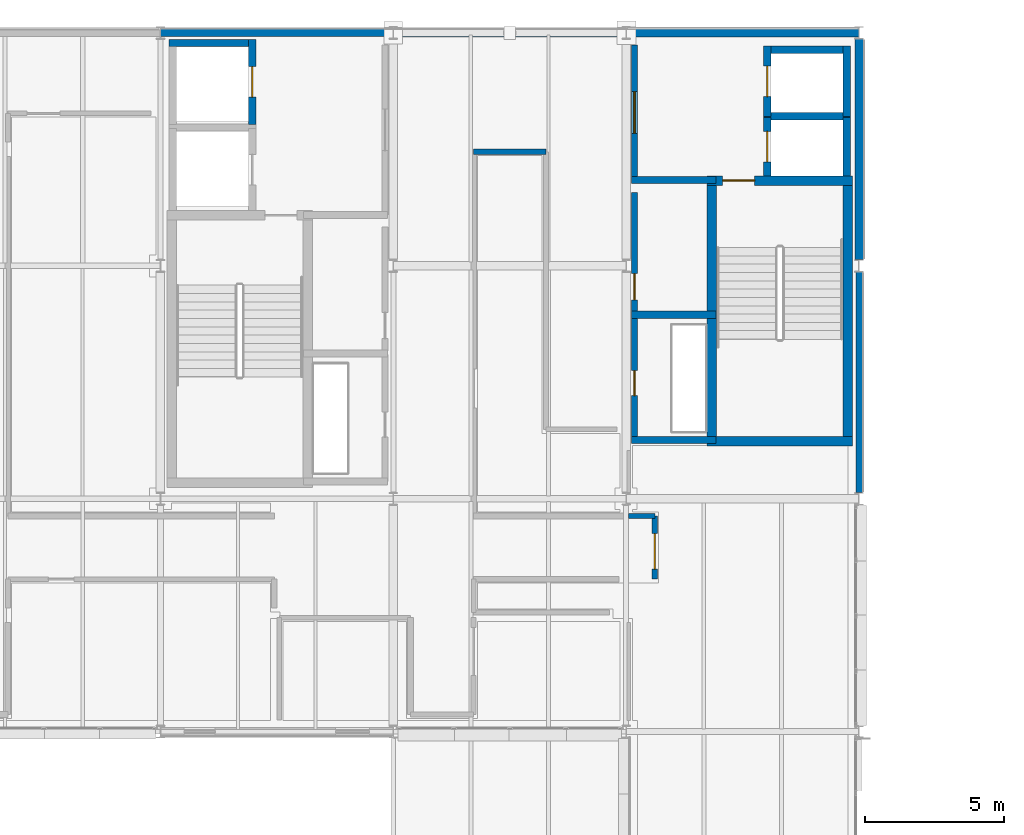
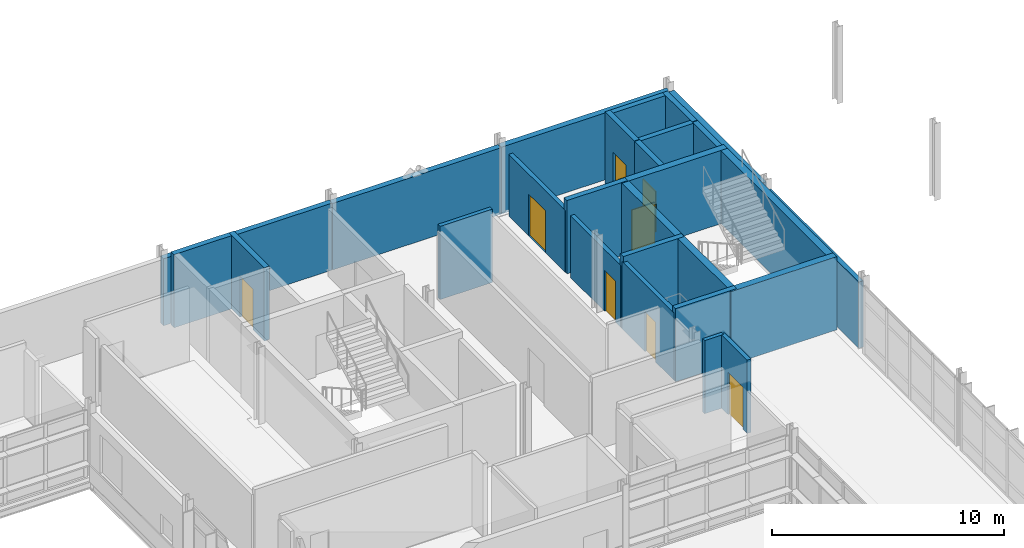
# One storey, part 90 of 103: 26 walls, 8 doors, 8 openings.
"""IFC4 building model written with IfcOpenShell, lengths in metres."""

from ifc_helpers import new_model, si_unit, direction, frame, frame_2d, origin, place, context, subcontext, project, spatial, rectangle, extrude, material, layer, layer_set, type_object, element, fill, save


model = new_model("IFC4")

# Units and contexts
model_context = context("Model", 3, precision=1e-05, world=origin(), true_north=direction((0.0, 1.0)))
body_context = subcontext(model_context, "Body", "Model", "MODEL_VIEW")
ifc_project = project(units=[si_unit("LENGTHUNIT", "METRE"), si_unit("AREAUNIT", "SQUARE_METRE"), si_unit("VOLUMEUNIT", "CUBIC_METRE"), si_unit("PLANEANGLEUNIT", "RADIAN"), si_unit("MASSUNIT", "GRAM", prefix="KILO")], contexts=[model_context])

# Site, building, storey
site_placement = place(None, origin())
site = spatial("IfcSite", under=ifc_project, at=site_placement, CompositionType="ELEMENT")
building_placement = place(site_placement, origin())
building = spatial("IfcBuilding", under=site, at=building_placement, Name="Mersafa Astral City Hall", CompositionType="ELEMENT")
storey_placement = place(building_placement, frame((0.0, 0.0, 18.0)))
storey = spatial("IfcBuildingStorey", under=building, at=storey_placement, Name="L04", CompositionType="ELEMENT", Elevation=18.0)

# Walls
ifc_material_1 = material(Name="Precast concrete C40/50 insulated terracotta spandrel", Category="masonry")
ifc_layer_1 = layer(ifc_material_1, 0.235107421875, Name="Precast concrete C40/50 insulated terracotta spandrel")
ifc_layer_set_1 = layer_set([ifc_layer_1], Name="Precast concrete C40/50 insulated terracotta spandrel — ENV-WAL-EXT-235")
wall_type_1 = type_object("IfcWallType", Name="ENV-WAL-EXT-235", PredefinedType="STANDARD", material=ifc_layer_set_1)
wall_1_placement = place(storey_placement, frame((176.39990234375, 109.4208984375, 0.0), z_axis=(0.0, 0.0, 1.0), x_axis=(0.0, 1.0, 0.0)))
element("IfcWall", 1, at=wall_1_placement, inside=storey, type_object=wall_type_1, Name="L04 Limestone-clad exterior wall 293", PredefinedType="STANDARD", context=body_context, shape_type="SweptSolid", body=[
    extrude(rectangle(XDim=7.9580078125, YDim=0.235107421875, at=frame_2d((3.97900390625, 0.0))), origin(), (0.0, 0.0, 1.0), 3.491943359375),
])
ifc_material_2 = material(Name="Precast concrete C40/50 insulated limestone wall", Category="masonry")
ifc_layer_2 = layer(ifc_material_2, 0.264892578125, Name="Precast concrete C40/50 insulated limestone wall")
ifc_layer_set_2 = layer_set([ifc_layer_2], Name="Precast concrete C40/50 insulated limestone wall — ENV-WAL-EXT-265")
wall_type_2 = type_object("IfcWallType", Name="ENV-WAL-EXT-265", PredefinedType="STANDARD", material=ifc_layer_set_2)
wall_2_placement = place(storey_placement, frame((159.592041015625, 126.0, 0.0), z_axis=(0.0, 0.0, 1.0), x_axis=(-1.0, 0.0, 0.0)))
element("IfcWall", 2, at=wall_2_placement, inside=storey, type_object=wall_type_2, Name="L04 Limestone-clad exterior wall 297", PredefinedType="STANDARD", context=body_context, shape_type="SweptSolid", body=[
    extrude(rectangle(XDim=8.384033203125, YDim=0.264892578125, at=frame_2d((4.19189453125, 0.0))), origin(), (0.0, 0.0, 1.0), 3.52197265625),
])
ifc_layer_3 = layer(ifc_material_2, 0.280029296875, Name="Precast concrete C40/50 insulated limestone wall")
ifc_layer_set_3 = layer_set([ifc_layer_3], Name="Precast concrete C40/50 insulated limestone wall — ENV-WAL-EXT-280")
wall_type_3 = type_object("IfcWallType", Name="ENV-WAL-EXT-280", PredefinedType="STANDARD", material=ifc_layer_set_3)
wall_3_placement = place(storey_placement, frame((167.991943359375, 126.0, 0.0), z_axis=(0.0, 0.0, 1.0), x_axis=(-1.0, 0.0, 0.0)))
element("IfcWall", 3, at=wall_3_placement, inside=storey, type_object=wall_type_3, Name="L04 Limestone-clad exterior wall 296", PredefinedType="STANDARD", context=body_context, shape_type="SweptSolid", body=[
    extrude(rectangle(XDim=8.384033203125, YDim=0.280029296875, at=frame_2d((4.19189453125, 0.0))), origin(), (0.0, 0.0, 1.0), 3.491943359375),
])
ifc_layer_4 = layer(ifc_material_2, 0.294921875, Name="Precast concrete C40/50 insulated limestone wall")
ifc_layer_set_4 = layer_set([ifc_layer_4], Name="Precast concrete C40/50 insulated limestone wall — ENV-WAL-EXT-295")
wall_type_4 = type_object("IfcWallType", Name="ENV-WAL-EXT-295", PredefinedType="STANDARD", material=ifc_layer_set_4)
wall_4_placement = place(storey_placement, frame((176.39208984375, 126.0, 0.0), z_axis=(0.0, 0.0, 1.0), x_axis=(-1.0, 0.0, 0.0)))
element("IfcWall", 4, at=wall_4_placement, inside=storey, type_object=wall_type_4, Name="L04 Limestone-clad exterior wall 295", PredefinedType="STANDARD", context=body_context, shape_type="SweptSolid", body=[
    extrude(rectangle(XDim=8.384033203125, YDim=0.294921875, at=frame_2d((4.19189453125, 0.0))), origin(), (0.0, 0.0, 1.0), 3.52197265625),
])
ifc_layer_5 = layer(ifc_material_2, 0.31005859375, Name="Precast concrete C40/50 insulated limestone wall")
ifc_layer_set_5 = layer_set([ifc_layer_5], Name="Precast concrete C40/50 insulated limestone wall — ENV-WAL-EXT-310")
wall_type_5 = type_object("IfcWallType", Name="ENV-WAL-EXT-310", PredefinedType="STANDARD", material=ifc_layer_set_5)
wall_5_placement = place(storey_placement, frame((176.39990234375, 117.821044921875, 0.0), z_axis=(0.0, 0.0, 1.0), x_axis=(0.0, 1.0, 0.0)))
element("IfcWall", 5, at=wall_5_placement, inside=storey, type_object=wall_type_5, Name="L04 Limestone-clad exterior wall 294", PredefinedType="STANDARD", context=body_context, shape_type="SweptSolid", body=[
    extrude(rectangle(XDim=7.9580078125, YDim=0.31005859375, at=frame_2d((3.97900390625, 0.0))), origin(), (0.0, 0.0, 1.0), 3.58203125),
])
ifc_material_3 = material(Name="Concrete C40/50", Category="concrete")
ifc_layer_6 = layer(ifc_material_3, 0.260009765625, Name="Concrete C40/50")
ifc_layer_set_6 = layer_set([ifc_layer_6], Name="Concrete C40/50 — INT-WAL-CORE-260")
wall_type_6 = type_object("IfcWallType", Name="INT-WAL-CORE-260", PredefinedType="SHEAR", material=ifc_layer_set_6)
wall_6_placement = place(storey_placement, frame((151.514892578125, 125.635009765625, 0.0), z_axis=(0.0, 0.0, 1.0), x_axis=(1.0, 0.0, 0.0)))
element("IfcWall", 6, at=wall_6_placement, inside=storey, type_object=wall_type_6, Name="L04 Lift LF3 north shaft wall", PredefinedType="SHEAR", context=body_context, shape_type="SweptSolid", body=[
    extrude(rectangle(XDim=3.130126953125, YDim=0.260009765625, at=frame_2d((1.56494140625, 0.0))), origin(), (0.0, 0.0, 1.0), 3.85009765625),
])

# Wall, opening, door
wall_7_placement = place(storey_placement, frame((154.514892578125, 122.705078125, 0.0), z_axis=(0.0, 0.0, 1.0), x_axis=(0.0, 1.0, 0.0)))
wall_7 = element("IfcWall", 7, at=wall_7_placement, inside=storey, type_object=wall_type_6, Name="L04 Lift LF3 front shaft wall", PredefinedType="SHEAR", context=body_context, shape_type="SweptSolid", body=[
    extrude(rectangle(XDim=3.059814453125, YDim=0.260009765625, at=frame_2d((1.52978515625, 0.0))), origin(), (0.0, 0.0, 1.0), 3.85009765625),
])
opening_1_placement = place(wall_7_placement, frame((0.97998046875, 0.0, 0.0)))
opening_1 = element("IfcOpeningElement", 8, at=opening_1_placement, cuts=wall_7, Name="Opening LD-1", PredefinedType="OPENING", context=body_context, shape_type="SweptSolid", body=[
    extrude(rectangle(XDim=1.10009765625, YDim=2.14990234375, at=frame_2d((0.550048828125, 1.074951171875))), frame((0.0, 0.139892578125, 0.0), z_axis=(0.0, -1.0, 0.0), x_axis=(1.0, 0.0, 0.0)), (0.0, 0.0, 1.0), 0.280029296875),
])
ifc_material_4 = material(Name="Stainless steel sliding lift landing door", Category="steel")
door_type_1 = type_object("IfcDoorType", Name="INT-DR-LIFT-LD1", OperationType="NOTDEFINED", PredefinedType="DOOR", material=ifc_material_4)
door_1_placement = place(opening_1_placement, origin())
door_1 = element("IfcDoor", 9, at=door_1_placement, inside=storey, type_object=door_type_1, Name="Elevator LF3 Sliding Landing Door L04", OperationType="DOUBLE_DOOR_SLIDING", OverallHeight=2.14990234375, OverallWidth=1.10009765625, PredefinedType="DOOR", context=body_context, shape_type="SweptSolid", body=[
    extrude(rectangle(XDim=1.10009765625, YDim=2.14990234375, at=frame_2d((0.550048828125, 1.074951171875))), frame((0.0, 0.02490234375, 0.0), z_axis=(0.0, -1.0, 0.0), x_axis=(1.0, 0.0, 0.0)), (0.0, 0.0, 1.0), 0.050048828125),
])
fill(opening_1, door_1)

# Walls
wall_8_placement = place(storey_placement, frame((172.955078125, 122.9951171875, 0.0), z_axis=(0.0, 0.0, 1.0), x_axis=(1.0, 0.0, 0.0)))
element("IfcWall", 10, at=wall_8_placement, inside=storey, type_object=wall_type_6, Name="L04 Lift LF2 north shaft wall", PredefinedType="SHEAR", context=body_context, shape_type="SweptSolid", body=[
    extrude(rectangle(XDim=3.1298828125, YDim=0.260009765625, at=frame_2d((1.56494140625, 0.0))), origin(), (0.0, 0.0, 1.0), 3.85009765625),
])
wall_9_placement = place(storey_placement, frame((175.955078125, 120.846923828125, 0.0), z_axis=(0.0, 0.0, 1.0), x_axis=(0.0, 1.0, 0.0)))
element("IfcWall", 11, at=wall_9_placement, inside=storey, type_object=wall_type_6, Name="L04 Lift LF2 back shaft wall", PredefinedType="SHEAR", context=body_context, shape_type="SweptSolid", body=[
    extrude(rectangle(XDim=2.108154296875, YDim=0.260009765625, at=frame_2d((1.05419921875, 0.0))), origin(), (0.0, 0.0, 1.0), 3.85009765625),
])

# Wall, opening, door
wall_10_placement = place(storey_placement, frame((173.0849609375, 120.846923828125, 0.0), z_axis=(0.0, 0.0, 1.0), x_axis=(0.0, 1.0, 0.0)))
wall_10 = element("IfcWall", 12, at=wall_10_placement, inside=storey, type_object=wall_type_6, Name="L04 Lift LF2 front shaft wall", PredefinedType="SHEAR", context=body_context, shape_type="SweptSolid", body=[
    extrude(rectangle(XDim=2.108154296875, YDim=0.260009765625, at=frame_2d((1.05419921875, 0.0))), origin(), (0.0, 0.0, 1.0), 3.85009765625),
])
opening_2_placement = place(wall_10_placement, frame((0.50390625, 0.0, 0.0)))
opening_2 = element("IfcOpeningElement", 13, at=opening_2_placement, cuts=wall_10, Name="Opening LD-1", PredefinedType="OPENING", context=body_context, shape_type="SweptSolid", body=[
    extrude(rectangle(XDim=1.10009765625, YDim=2.14990234375, at=frame_2d((0.550048828125, 1.074951171875))), frame((0.0, 0.139892578125, 0.0), z_axis=(0.0, -1.0, 0.0), x_axis=(1.0, 0.0, 0.0)), (0.0, 0.0, 1.0), 0.280029296875),
])
door_2_placement = place(opening_2_placement, origin())
door_2 = element("IfcDoor", 14, at=door_2_placement, inside=storey, type_object=door_type_1, Name="Elevator LF2 Sliding Landing Door L04", OperationType="DOUBLE_DOOR_SLIDING", OverallHeight=2.14990234375, OverallWidth=1.10009765625, PredefinedType="DOOR", context=body_context, shape_type="SweptSolid", body=[
    extrude(rectangle(XDim=1.10009765625, YDim=2.14990234375, at=frame_2d((0.550048828125, 1.074951171875))), frame((0.0, 0.02490234375, 0.0), z_axis=(0.0, -1.0, 0.0), x_axis=(1.0, 0.0, 0.0)), (0.0, 0.0, 1.0), 0.050048828125),
])
fill(opening_2, door_2)

# Walls
wall_11_placement = place(storey_placement, frame((172.955078125, 125.39501953125, 0.0), z_axis=(0.0, 0.0, 1.0), x_axis=(1.0, 0.0, 0.0)))
element("IfcWall", 15, at=wall_11_placement, inside=storey, type_object=wall_type_6, Name="L04 Lift LF4 north shaft wall", PredefinedType="SHEAR", context=body_context, shape_type="SweptSolid", body=[
    extrude(rectangle(XDim=3.1298828125, YDim=0.260009765625, at=frame_2d((1.56494140625, 0.0))), origin(), (0.0, 0.0, 1.0), 3.85009765625),
])
wall_12_placement = place(storey_placement, frame((175.955078125, 122.985107421875, 0.0), z_axis=(0.0, 0.0, 1.0), x_axis=(0.0, 1.0, 0.0)))
element("IfcWall", 16, at=wall_12_placement, inside=storey, type_object=wall_type_6, Name="L04 Lift LF4 back shaft wall", PredefinedType="SHEAR", context=body_context, shape_type="SweptSolid", body=[
    extrude(rectangle(XDim=2.539794921875, YDim=0.260009765625, at=frame_2d((1.27001953125, 0.0))), origin(), (0.0, 0.0, 1.0), 3.85009765625),
])

# Wall, opening, door
wall_13_placement = place(storey_placement, frame((173.0849609375, 122.985107421875, 0.0), z_axis=(0.0, 0.0, 1.0), x_axis=(0.0, 1.0, 0.0)))
wall_13 = element("IfcWall", 17, at=wall_13_placement, inside=storey, type_object=wall_type_6, Name="L04 Lift LF4 front shaft wall", PredefinedType="SHEAR", context=body_context, shape_type="SweptSolid", body=[
    extrude(rectangle(XDim=2.539794921875, YDim=0.260009765625, at=frame_2d((1.27001953125, 0.0))), origin(), (0.0, 0.0, 1.0), 3.85009765625),
])
opening_3_placement = place(wall_13_placement, frame((0.719970703125, 0.0, 0.0)))
opening_3 = element("IfcOpeningElement", 18, at=opening_3_placement, cuts=wall_13, Name="Opening LD-1", PredefinedType="OPENING", context=body_context, shape_type="SweptSolid", body=[
    extrude(rectangle(XDim=1.10009765625, YDim=2.14990234375, at=frame_2d((0.550048828125, 1.074951171875))), frame((0.0, 0.139892578125, 0.0), z_axis=(0.0, -1.0, 0.0), x_axis=(1.0, 0.0, 0.0)), (0.0, 0.0, 1.0), 0.280029296875),
])
door_3_placement = place(opening_3_placement, origin())
door_3 = element("IfcDoor", 19, at=door_3_placement, inside=storey, type_object=door_type_1, Name="Elevator LF4 Sliding Landing Door L04", OperationType="DOUBLE_DOOR_SLIDING", OverallHeight=2.14990234375, OverallWidth=1.10009765625, PredefinedType="DOOR", context=body_context, shape_type="SweptSolid", body=[
    extrude(rectangle(XDim=1.10009765625, YDim=2.14990234375, at=frame_2d((0.550048828125, 1.074951171875))), frame((0.0, 0.02490234375, 0.0), z_axis=(0.0, -1.0, 0.0), x_axis=(1.0, 0.0, 0.0)), (0.0, 0.0, 1.0), 0.050048828125),
])
fill(opening_3, door_3)

# Walls
for number, where, z_axis, x_axis, name in (
    (20, (168.199951171875, 111.320068359375, 0.0), (0.0, 0.0, 1.0), (1.0, 0.0, 0.0), "L04 Core K2 riser south wall"),
    (21, (168.199951171875, 115.8349609375, 0.0), (0.0, 0.0, 1.0), (1.0, 0.0, 0.0), "L04 Core K2 riser-restroom divider wall"),
    (22, (168.199951171875, 120.68994140625, 0.0), (0.0, 0.0, 1.0), (1.0, 0.0, 0.0), "L04 Core K2 restroom-lobby divider wall"),
):
    element("IfcWall", number, at=place(storey_placement, frame(where, z_axis=z_axis, x_axis=x_axis)), inside=storey, type_object=wall_type_6, Name=name, PredefinedType="SHEAR", context=body_context, shape_type="SweptSolid", body=[
        extrude(rectangle(XDim=3.03515625, YDim=0.260009765625, at=frame_2d((1.517578125, 0.0))), origin(), (0.0, 0.0, 1.0), 3.85009765625),
    ])
ifc_layer_7 = layer(ifc_material_3, 0.340087890625, Name="Concrete C40/50")
ifc_layer_set_7 = layer_set([ifc_layer_7], Name="Concrete C40/50 — INT-WAL-CORE-340")
wall_type_7 = type_object("IfcWallType", Name="INT-WAL-CORE-340", PredefinedType="SHEAR", material=ifc_layer_set_7)
for number, where, z_axis, x_axis, name in (
    (23, (171.0849609375, 111.10498046875, 0.0), (0.0, 0.0, 1.0), (0.0, 1.0, 0.0), "L04 Core K2 stair west shear wall"),
    (24, (175.9951171875, 111.10498046875, 0.0), (0.0, 0.0, 1.0), (0.0, 1.0, 0.0), "L04 Core K2 stair east shear wall"),
):
    element("IfcWall", number, at=place(storey_placement, frame(where, z_axis=z_axis, x_axis=x_axis)), inside=storey, type_object=wall_type_7, Name=name, PredefinedType="SHEAR", context=body_context, shape_type="SweptSolid", body=[
        extrude(rectangle(XDim=9.739990234375, YDim=0.340087890625, at=frame_2d((4.8701171875, 0.0))), origin(), (0.0, 0.0, 1.0), 3.85009765625),
    ])
wall_14_placement = place(storey_placement, frame((170.9150390625, 111.27490234375, 0.0), z_axis=(0.0, 0.0, 1.0), x_axis=(1.0, 0.0, 0.0)))
element("IfcWall", 25, at=wall_14_placement, inside=storey, type_object=wall_type_7, Name="L04 Core K2 stair south shear wall", PredefinedType="SHEAR", context=body_context, shape_type="SweptSolid", body=[
    extrude(rectangle(XDim=5.25, YDim=0.340087890625, at=frame_2d((2.625, 0.0))), origin(), (0.0, 0.0, 1.0), 3.85009765625),
])

# Wall, opening, door
wall_15_placement = place(storey_placement, frame((170.9150390625, 120.675048828125, 0.0), z_axis=(0.0, 0.0, 1.0), x_axis=(1.0, 0.0, 0.0)))
wall_15 = element("IfcWall", 26, at=wall_15_placement, inside=storey, type_object=wall_type_7, Name="L04 Core K2 stair-lobby fire wall", PredefinedType="SHEAR", context=body_context, shape_type="SweptSolid", body=[
    extrude(rectangle(XDim=5.25, YDim=0.340087890625, at=frame_2d((2.625, 0.0))), origin(), (0.0, 0.0, 1.0), 3.85009765625),
])
opening_4_placement = place(wall_15_placement, frame((0.56494140625, 0.0, 0.0)))
opening_4 = element("IfcOpeningElement", 27, at=opening_4_placement, cuts=wall_15, Name="Opening CD-1", PredefinedType="OPENING", context=body_context, shape_type="SweptSolid", body=[
    extrude(rectangle(XDim=1.14990234375, YDim=2.14990234375, at=frame_2d((0.574951171875, 1.074951171875))), frame((0.0, 0.179931640625, 0.0), z_axis=(0.0, -1.0, 0.0), x_axis=(1.0, 0.0, 0.0)), (0.0, 0.0, 1.0), 0.360107421875),
])
ifc_material_5 = material(Name="Fire-rated steel stair door", Category="steel")
door_type_2 = type_object("IfcDoorType", Name="INT-DR-STAIR-FD90-1150", OperationType="NOTDEFINED", PredefinedType="DOOR", material=ifc_material_5)
door_4_placement = place(opening_4_placement, origin())
door_4 = element("IfcDoor", 28, at=door_4_placement, inside=storey, type_object=door_type_2, Name="L04 Protected Stair ST2 Door", OperationType="SINGLE_SWING_LEFT", OverallHeight=2.14990234375, OverallWidth=1.14990234375, PredefinedType="DOOR", context=body_context, shape_type="SweptSolid", body=[
    extrude(rectangle(XDim=1.14990234375, YDim=2.14990234375, at=frame_2d((0.574951171875, 1.074951171875))), frame((0.0, 0.02490234375, 0.0), z_axis=(0.0, -1.0, 0.0), x_axis=(1.0, 0.0, 0.0)), (0.0, 0.0, 1.0), 0.050048828125),
])
fill(opening_4, door_4)

# Wall
ifc_material_6 = material(Name="Acoustic twin-stud gypsum partition", Category="gypsum")
ifc_layer_8 = layer(ifc_material_6, 0.179931640625, Name="Acoustic twin-stud gypsum partition")
ifc_layer_set_8 = layer_set([ifc_layer_8], Name="Acoustic twin-stud gypsum partition — INT-WAL-PART-EI60-180")
wall_type_8 = type_object("IfcWallType", Name="INT-WAL-PART-EI60-180", PredefinedType="STANDARD", material=ifc_layer_set_8)
wall_16_placement = place(storey_placement, frame((169.030029296875, 108.580078125, -0.00390625), z_axis=(0.0, 0.0, 1.0), x_axis=(-1.0, 0.0, 0.0)))
element("IfcWall", 29, at=wall_16_placement, inside=storey, type_object=wall_type_8, Name="L04 Interior partition wall 706", PredefinedType="STANDARD", context=body_context, shape_type="SweptSolid", body=[
    extrude(rectangle(XDim=0.93994140625, YDim=0.179931640625, at=frame_2d((0.469970703125, 0.0))), origin(), (0.0, 0.0, 1.0), 3.85400390625),
])

# Wall, opening, door
ifc_layer_9 = layer(ifc_material_6, 0.195068359375, Name="Acoustic twin-stud gypsum partition")
ifc_layer_set_9 = layer_set([ifc_layer_9], Name="Acoustic twin-stud gypsum partition — INT-WAL-PART-EI60-195")
wall_type_9 = type_object("IfcWallType", Name="INT-WAL-PART-EI60-195", PredefinedType="STANDARD", material=ifc_layer_set_9)
wall_17_placement = place(storey_placement, frame((169.030029296875, 106.300048828125, -0.00390625), z_axis=(0.0, 0.0, 1.0), x_axis=(0.0, 1.0, 0.0)))
wall_17 = element("IfcWall", 30, at=wall_17_placement, inside=storey, type_object=wall_type_9, Name="L04 Interior partition wall 705", PredefinedType="STANDARD", context=body_context, shape_type="SweptSolid", body=[
    extrude(rectangle(XDim=2.280029296875, YDim=0.195068359375, at=frame_2d((1.14013671875, 0.0))), origin(), (0.0, 0.0, 1.0), 3.85400390625),
])
opening_5_placement = place(wall_17_placement, frame((0.360107421875, 0.0, 0.0)))
opening_5 = element("IfcOpeningElement", 31, at=opening_5_placement, cuts=wall_17, Name="Opening D-24", PredefinedType="OPENING", context=body_context, shape_type="SweptSolid", body=[
    extrude(rectangle(XDim=1.280029296875, YDim=2.219970703125, at=frame_2d((0.64013671875, 1.10986328125))), frame((0.0, 0.107421875, 0.0), z_axis=(0.0, -1.0, 0.0), x_axis=(1.0, 0.0, 0.0)), (0.0, 0.0, 1.0), 0.215087890625),
])
ifc_material_7 = material(Name="Cedar veneered acoustic fire-rated timber door", Category="wood")
door_type_3 = type_object("IfcDoorType", Name="INT-DR-RM-D-24", OperationType="NOTDEFINED", PredefinedType="DOOR", material=ifc_material_7)
door_5_placement = place(opening_5_placement, origin())
door_5 = element("IfcDoor", 32, at=door_5_placement, inside=storey, type_object=door_type_3, Name="L04 Heritage & Historic Cairo Office L04-05 Entrance Door", OperationType="SINGLE_SWING_RIGHT", OverallHeight=2.219970703125, OverallWidth=1.280029296875, PredefinedType="DOOR", context=body_context, shape_type="SweptSolid", body=[
    extrude(rectangle(XDim=1.280029296875, YDim=2.219970703125, at=frame_2d((0.64013671875, 1.10986328125))), frame((0.0, 0.02490234375, 0.0), z_axis=(0.0, -1.0, 0.0), x_axis=(1.0, 0.0, 0.0)), (0.0, 0.0, 1.0), 0.050048828125),
])
fill(opening_5, door_5)

# Wall
wall_18_placement = place(storey_placement, frame((162.5, 121.7099609375, -0.00390625), z_axis=(0.0, 0.0, 1.0), x_axis=(1.0, 0.0, 0.0)))
element("IfcWall", 33, at=wall_18_placement, inside=storey, type_object=wall_type_9, Name="L04 Interior partition wall 709", PredefinedType="STANDARD", context=body_context, shape_type="SweptSolid", body=[
    extrude(rectangle(XDim=2.60009765625, YDim=0.195068359375, at=frame_2d((1.300048828125, 0.0))), origin(), (0.0, 0.0, 1.0), 3.85400390625),
])

# Wall, opening, door
ifc_material_8 = material(Name="Autoclaved aerated concrete blockwork plastered", Category="masonry")
ifc_layer_10 = layer(ifc_material_8, 0.2099609375, Name="Autoclaved aerated concrete blockwork plastered")
ifc_layer_set_10 = layer_set([ifc_layer_10], Name="Autoclaved aerated concrete blockwork plastered — INT-WAL-PART-EI60-210")
wall_type_10 = type_object("IfcWallType", Name="INT-WAL-PART-EI60-210", PredefinedType="STANDARD", material=ifc_layer_set_10)
wall_19_placement = place(storey_placement, frame((168.300048828125, 111.320068359375, 0.0), z_axis=(0.0, 0.0, 1.0), x_axis=(0.0, 1.0, 0.0)))
wall_19 = element("IfcWall", 34, at=wall_19_placement, inside=storey, type_object=wall_type_10, Name="L04 Core K2 riser corridor partition", PredefinedType="STANDARD", context=body_context, shape_type="SweptSolid", body=[
    extrude(rectangle(XDim=4.489990234375, YDim=0.2099609375, at=frame_2d((2.2451171875, 0.0))), origin(), (0.0, 0.0, 1.0), 3.5419921875),
])
opening_6_placement = place(wall_19_placement, frame((1.60009765625, 0.0, 0.0)))
opening_6 = element("IfcOpeningElement", 35, at=opening_6_placement, cuts=wall_19, Name="Opening CD-5", PredefinedType="OPENING", context=body_context, shape_type="SweptSolid", body=[
    extrude(rectangle(XDim=0.89990234375, YDim=2.10009765625, at=frame_2d((0.449951171875, 1.050048828125))), frame((0.0, 0.114990234375, 0.0), z_axis=(0.0, -1.0, 0.0), x_axis=(1.0, 0.0, 0.0)), (0.0, 0.0, 1.0), 0.22998046875),
])
ifc_material_9 = material(Name="Fire-rated steel riser access door", Category="steel")
door_type_4 = type_object("IfcDoorType", Name="INT-DR-RISER-FD60-900", OperationType="NOTDEFINED", PredefinedType="DOOR", material=ifc_material_9)
door_6_placement = place(opening_6_placement, origin())
door_6 = element("IfcDoor", 36, at=door_6_placement, inside=storey, type_object=door_type_4, Name="L04 K2 MEP Riser Access Door", OperationType="SINGLE_SWING_LEFT", OverallHeight=2.10009765625, OverallWidth=0.89990234375, PredefinedType="DOOR", context=body_context, shape_type="SweptSolid", body=[
    extrude(rectangle(XDim=0.89990234375, YDim=2.10009765625, at=frame_2d((0.449951171875, 1.050048828125))), frame((0.0, 0.02490234375, 0.0), z_axis=(0.0, -1.0, 0.0), x_axis=(1.0, 0.0, 0.0)), (0.0, 0.0, 1.0), 0.050048828125),
])
fill(opening_6, door_6)

wall_20_placement = place(storey_placement, frame((168.300048828125, 115.919921875, 0.0), z_axis=(0.0, 0.0, 1.0), x_axis=(0.0, 1.0, 0.0)))
wall_20 = element("IfcWall", 37, at=wall_20_placement, inside=storey, type_object=wall_type_10, Name="L04 Core K2 accessible WC corridor partition", PredefinedType="STANDARD", context=body_context, shape_type="SweptSolid", body=[
    extrude(rectangle(XDim=4.330078125, YDim=0.2099609375, at=frame_2d((2.1650390625, 0.0))), origin(), (0.0, 0.0, 1.0), 3.251953125),
])
opening_7_placement = place(wall_20_placement, frame((0.449951171875, 0.0, 0.0)))
opening_7 = element("IfcOpeningElement", 38, at=opening_7_placement, cuts=wall_20, Name="Opening CD-4", PredefinedType="OPENING", context=body_context, shape_type="SweptSolid", body=[
    extrude(rectangle(XDim=0.949951171875, YDim=2.14990234375, at=frame_2d((0.47509765625, 1.074951171875))), frame((0.0, 0.114990234375, 0.0), z_axis=(0.0, -1.0, 0.0), x_axis=(1.0, 0.0, 0.0)), (0.0, 0.0, 1.0), 0.22998046875),
])
ifc_material_10 = material(Name="Accessible timber acoustic WC door", Category="wood")
door_type_5 = type_object("IfcDoorType", Name="INT-DR-WC-FD30-950", OperationType="NOTDEFINED", PredefinedType="DOOR", material=ifc_material_10)
door_7_placement = place(opening_7_placement, origin())
door_7 = element("IfcDoor", 39, at=door_7_placement, inside=storey, type_object=door_type_5, Name="L04 K2 Accessible Restroom Door", OperationType="SINGLE_SWING_RIGHT", OverallHeight=2.14990234375, OverallWidth=0.949951171875, PredefinedType="DOOR", context=body_context, shape_type="SweptSolid", body=[
    extrude(rectangle(XDim=0.949951171875, YDim=2.14990234375, at=frame_2d((0.47509765625, 1.074951171875))), frame((0.0, 0.02490234375, 0.0), z_axis=(0.0, -1.0, 0.0), x_axis=(1.0, 0.0, 0.0)), (0.0, 0.0, 1.0), 0.050048828125),
])
fill(opening_7, door_7)

wall_21_placement = place(storey_placement, frame((168.300048828125, 120.699951171875, 0.0), z_axis=(0.0, 0.0, 1.0), x_axis=(0.0, 1.0, 0.0)))
wall_21 = element("IfcWall", 40, at=wall_21_placement, inside=storey, type_object=wall_type_10, Name="L04 Core K2 lobby corridor partition", PredefinedType="STANDARD", context=body_context, shape_type="SweptSolid", body=[
    extrude(rectangle(XDim=4.860107421875, YDim=0.2099609375, at=frame_2d((2.43017578125, 0.0))), origin(), (0.0, 0.0, 1.0), 3.251953125),
])
opening_8_placement = place(wall_21_placement, frame((1.679931640625, 0.0, 0.0)))
opening_8 = element("IfcOpeningElement", 41, at=opening_8_placement, cuts=wall_21, Name="Opening CD-3", PredefinedType="OPENING", context=body_context, shape_type="SweptSolid", body=[
    extrude(rectangle(XDim=1.5, YDim=2.199951171875, at=frame_2d((0.75, 1.10009765625))), frame((0.0, 0.114990234375, 0.0), z_axis=(0.0, -1.0, 0.0), x_axis=(1.0, 0.0, 0.0)), (0.0, 0.0, 1.0), 0.22998046875),
])
ifc_material_11 = material(Name="Fire-rated glazed lobby door pair", Category="metal")
door_type_6 = type_object("IfcDoorType", Name="INT-DR-LOBBY-FD90-1500", OperationType="NOTDEFINED", PredefinedType="DOOR", material=ifc_material_11)
door_8_placement = place(opening_8_placement, origin())
door_8 = element("IfcDoor", 42, at=door_8_placement, inside=storey, type_object=door_type_6, Name="L04 K2 Lift Lobby Fire Door", OperationType="DOUBLE_DOOR_SINGLE_SWING", OverallHeight=2.199951171875, OverallWidth=1.5, PredefinedType="DOOR", context=body_context, shape_type="SweptSolid", body=[
    extrude(rectangle(XDim=1.5, YDim=2.199951171875, at=frame_2d((0.75, 1.10009765625))), frame((0.0, 0.02490234375, 0.0), z_axis=(0.0, -1.0, 0.0), x_axis=(1.0, 0.0, 0.0)), (0.0, 0.0, 1.0), 0.050048828125),
])
fill(opening_8, door_8)

save(model, "model.ifc")
